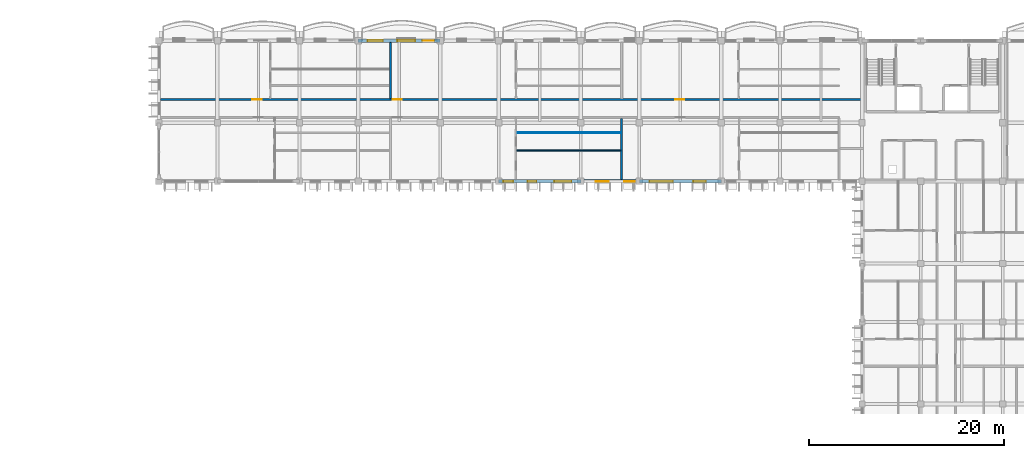
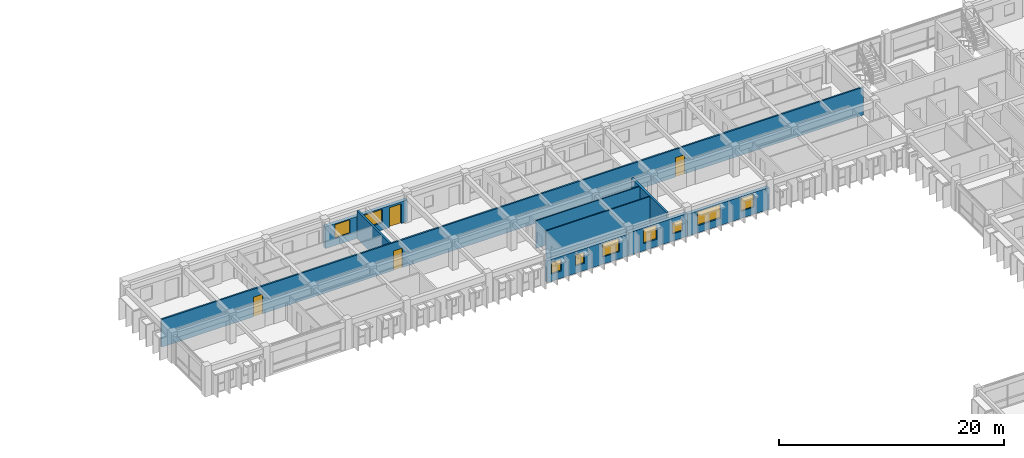
# One storey, part 39 of 79: 9 walls, 9 windows, 4 doors, 13 openings.
"""IFC4 building model written with IfcOpenShell, lengths in metres."""

from ifc_helpers import new_model, si_unit, direction, frame, frame_2d, origin, place, context, subcontext, project, spatial, rectangle, extrude, material, layer, layer_set, type_object, element, fill, save


model = new_model("IFC4")

# Units and contexts
model_context = context("Model", 3, precision=1e-05, world=origin(), true_north=direction((0.0, 1.0)))
body_context = subcontext(model_context, "Body", "Model", "MODEL_VIEW")
ifc_project = project(units=[si_unit("LENGTHUNIT", "METRE"), si_unit("AREAUNIT", "SQUARE_METRE"), si_unit("VOLUMEUNIT", "CUBIC_METRE"), si_unit("PLANEANGLEUNIT", "RADIAN"), si_unit("MASSUNIT", "GRAM", prefix="KILO"), si_unit("THERMODYNAMICTEMPERATUREUNIT", "KELVIN")], contexts=[model_context])

# Site, building, storey
site_placement = place(None, origin())
site = spatial("IfcSite", under=ifc_project, at=site_placement, CompositionType="ELEMENT")
building_placement = place(site_placement, origin())
building = spatial("IfcBuilding", under=site, at=building_placement, Name="Thalorik Housing Commons", CompositionType="ELEMENT")
storey_placement = place(building_placement, frame((0.0, 0.0, 11.39990234375)))
storey = spatial("IfcBuildingStorey", under=building, at=storey_placement, Name="L03", CompositionType="ELEMENT", Elevation=11.39990234375)

# Wall, openings, doors
ifc_material_1 = material(Name="Masonry fire-rated corridor wall", Category="masonry")
ifc_layer_1 = layer(ifc_material_1, 0.1650390625, Name="Masonry fire-rated corridor wall", Category="masonry")
ifc_layer_set_1 = layer_set([ifc_layer_1], Name="Masonry fire-rated corridor wall")
wall_type_1 = type_object("IfcWallType", Name="ARC-WAL-CORR-165", PredefinedType="PARTITIONING", material=ifc_layer_set_1)
wall_1_placement = place(storey_placement, frame((80.576904296875, 117.580078125, 0.0), z_axis=(0.0, 0.0, 1.0), x_axis=(1.0, 0.0, 0.0)))
wall_1 = element("IfcWall", 1, at=wall_1_placement, inside=storey, type_object=wall_type_1, Name="L03 Block B N Corridor Wall 2", PredefinedType="PARTITIONING", context=body_context, shape_type="SweptSolid", body=[
    extrude(rectangle(XDim=71.963134765625, YDim=0.1650390625, at=frame_2d((35.9814453125, 0.0))), origin(), (0.0, 0.0, 1.0), 3.0),
])
opening_1_placement = place(wall_1_placement, frame((9.411376953125, 0.0, 0.0)))
opening_1 = element("IfcOpeningElement", 2, at=opening_1_placement, cuts=wall_1, Name="Opening ID-1095", PredefinedType="OPENING", context=body_context, shape_type="SweptSolid", body=[
    extrude(rectangle(XDim=0.9599609375, YDim=2.1201171875, at=frame_2d((0.47998046875, 1.06005859375))), frame((0.0, 0.092529296875, 0.0), z_axis=(0.0, -1.0, 0.0), x_axis=(1.0, 0.0, 0.0)), (0.0, 0.0, 1.0), 0.18505859375),
])
opening_2_placement = place(wall_1_placement, frame((23.79296875, 0.0, 0.0)))
opening_2 = element("IfcOpeningElement", 3, at=opening_2_placement, cuts=wall_1, Name="Opening ID-1096", PredefinedType="OPENING", context=body_context, shape_type="SweptSolid", body=[
    extrude(rectangle(XDim=0.919921875, YDim=2.10009765625, at=frame_2d((0.4599609375, 1.050048828125))), frame((0.0, 0.092529296875, 0.0), z_axis=(0.0, -1.0, 0.0), x_axis=(1.0, 0.0, 0.0)), (0.0, 0.0, 1.0), 0.18505859375),
])
opening_3_placement = place(wall_1_placement, frame((52.7177734375, 0.0, 0.0)))
opening_3 = element("IfcOpeningElement", 4, at=opening_3_placement, cuts=wall_1, Name="Opening ID-1097", PredefinedType="OPENING", context=body_context, shape_type="SweptSolid", body=[
    extrude(rectangle(XDim=0.919921875, YDim=2.10009765625, at=frame_2d((0.4599609375, 1.050048828125))), frame((0.0, 0.092529296875, 0.0), z_axis=(0.0, -1.0, 0.0), x_axis=(1.0, 0.0, 0.0)), (0.0, 0.0, 1.0), 0.18505859375),
])
ifc_material_2 = material(Name="Solid core hardwood timber", Category="wood")
door_type_1 = type_object("IfcDoorType", Name="ARC-DR-FD30-920", OperationType="NOTDEFINED", PredefinedType="DOOR", material=ifc_material_2)
door_1_placement = place(opening_2_placement, origin())
door_1 = element("IfcDoor", 5, at=door_1_placement, inside=storey, type_object=door_type_1, Name="L03 Flat BN-2B Entrance Door", OperationType="SINGLE_SWING_LEFT", OverallHeight=2.10009765625, OverallWidth=0.919921875, PredefinedType="DOOR", context=body_context, shape_type="SweptSolid", body=[
    extrude(rectangle(XDim=0.919921875, YDim=2.10009765625, at=frame_2d((0.4599609375, 1.050048828125))), frame((0.0, 0.02490234375, 0.0), z_axis=(0.0, -1.0, 0.0), x_axis=(1.0, 0.0, 0.0)), (0.0, 0.0, 1.0), 0.050048828125),
])
fill(opening_2, door_1)
door_2_placement = place(opening_3_placement, origin())
door_2 = element("IfcDoor", 6, at=door_2_placement, inside=storey, type_object=door_type_1, Name="L03 Flat BN-3B Entrance Door", OperationType="SINGLE_SWING_RIGHT", OverallHeight=2.10009765625, OverallWidth=0.919921875, PredefinedType="DOOR", context=body_context, shape_type="SweptSolid", body=[
    extrude(rectangle(XDim=0.919921875, YDim=2.10009765625, at=frame_2d((0.4599609375, 1.050048828125))), frame((0.0, 0.02490234375, 0.0), z_axis=(0.0, -1.0, 0.0), x_axis=(1.0, 0.0, 0.0)), (0.0, 0.0, 1.0), 0.050048828125),
])
fill(opening_3, door_2)
door_type_2 = type_object("IfcDoorType", Name="ARC-DR-FD30-960", OperationType="NOTDEFINED", PredefinedType="DOOR", material=ifc_material_2)
door_3_placement = place(opening_1_placement, origin())
door_3 = element("IfcDoor", 7, at=door_3_placement, inside=storey, type_object=door_type_2, Name="L03 Flat BN-1B Entrance Door", OperationType="SINGLE_SWING_RIGHT", OverallHeight=2.1201171875, OverallWidth=0.9599609375, PredefinedType="DOOR", context=body_context, shape_type="SweptSolid", body=[
    extrude(rectangle(XDim=0.9599609375, YDim=2.1201171875, at=frame_2d((0.47998046875, 1.06005859375))), frame((0.0, 0.02490234375, 0.0), z_axis=(0.0, -1.0, 0.0), x_axis=(1.0, 0.0, 0.0)), (0.0, 0.0, 1.0), 0.050048828125),
])
fill(opening_1, door_3)

# Wall, openings, door, windows
ifc_material_3 = material(Name="White precast concrete C40/50", Category="concrete")
ifc_layer_2 = layer(ifc_material_3, 0.35009765625, Name="White precast concrete C40/50", Category="concrete")
ifc_layer_set_2 = layer_set([ifc_layer_2], Name="White precast concrete C40/50")
wall_type_2 = type_object("IfcWallType", Name="ARC-WAL-EXT-350", PredefinedType="STANDARD", material=ifc_layer_set_2)
wall_2_placement = place(storey_placement, frame((109.199951171875, 123.60009765625, 0.0), z_axis=(0.0, 0.0, 1.0), x_axis=(-1.0, 0.0, 0.0)))
wall_2 = element("IfcWall", 8, at=wall_2_placement, inside=storey, type_object=wall_type_2, Name="L03 Exterior Wall WAL-EXT-L03-B-0494", PredefinedType="STANDARD", context=body_context, shape_type="SweptSolid", body=[
    extrude(rectangle(XDim=8.39990234375, YDim=0.35009765625, at=frame_2d((4.199951171875, 0.0))), origin(), (0.0, 0.0, 1.0), 2.375),
])
opening_4_placement = place(wall_2_placement, frame((0.6201171875, 0.0, 0.0)))
opening_4 = element("IfcOpeningElement", 9, at=opening_4_placement, cuts=wall_2, Name="Opening ED-0149", PredefinedType="OPENING", context=body_context, shape_type="SweptSolid", body=[
    extrude(rectangle(XDim=1.199951171875, YDim=2.14990234375, at=frame_2d((0.60009765625, 1.074951171875))), frame((0.0, 0.18505859375, 0.0), z_axis=(0.0, -1.0, 0.0), x_axis=(1.0, 0.0, 0.0)), (0.0, 0.0, 1.0), 0.3701171875),
])
opening_5_placement = place(wall_2_placement, frame((2.56494140625, 0.0, 0.780029296875)))
opening_5 = element("IfcOpeningElement", 10, at=opening_5_placement, cuts=wall_2, Name="Opening W-58", PredefinedType="OPENING", context=body_context, shape_type="SweptSolid", body=[
    extrude(rectangle(XDim=1.820068359375, YDim=1.4599609375, at=frame_2d((0.91015625, 0.72998046875))), frame((0.0, 0.18505859375, 0.0), z_axis=(0.0, -1.0, 0.0), x_axis=(1.0, 0.0, 0.0)), (0.0, 0.0, 1.0), 0.3701171875),
])
opening_6_placement = place(wall_2_placement, frame((5.85498046875, 0.0, 0.780029296875)))
opening_6 = element("IfcOpeningElement", 11, at=opening_6_placement, cuts=wall_2, Name="Opening W-53", PredefinedType="OPENING", context=body_context, shape_type="SweptSolid", body=[
    extrude(rectangle(XDim=1.580078125, YDim=1.47998046875, at=frame_2d((0.7900390625, 0.739990234375))), frame((0.0, 0.18505859375, 0.0), z_axis=(0.0, -1.0, 0.0), x_axis=(1.0, 0.0, 0.0)), (0.0, 0.0, 1.0), 0.3701171875),
])
ifc_material_4 = material(Name="Anodised aluminium and laminated safety glass", Category="aluminium")
door_type_3 = type_object("IfcDoorType", Name="ARC-DR-BAL-1200", OperationType="NOTDEFINED", PredefinedType="DOOR", material=ifc_material_4)
door_4_placement = place(opening_4_placement, frame((1.199951171875, 0.0, 0.0), z_axis=(0.0, 0.0, 1.0), x_axis=(-1.0, 0.0, 0.0)))
door_4 = element("IfcDoor", 12, at=door_4_placement, inside=storey, type_object=door_type_3, Name="L03 Block B Balcony Glazed Door", OperationType="SINGLE_SWING_RIGHT", OverallHeight=2.14990234375, OverallWidth=1.199951171875, PredefinedType="DOOR", context=body_context, shape_type="SweptSolid", body=[
    extrude(rectangle(XDim=1.199951171875, YDim=2.14990234375, at=frame_2d((0.60009765625, 1.074951171875))), frame((0.0, 0.02490234375, 0.0), z_axis=(0.0, -1.0, 0.0), x_axis=(1.0, 0.0, 0.0)), (0.0, 0.0, 1.0), 0.050048828125),
])
fill(opening_4, door_4)
ifc_material_5 = material(Name="Anodised aluminium and solar-control low-E glass", Category="aluminium")
window_type_1 = type_object("IfcWindowType", Name="ARC-WIN-53", PartitioningType="SINGLE_PANEL", PredefinedType="WINDOW", material=ifc_material_5)
window_1_placement = place(opening_6_placement, origin())
window_1 = element("IfcWindow", 13, at=window_1_placement, inside=storey, type_object=window_type_1, Name="L03 Facade Window 889", OverallHeight=1.47998046875, OverallWidth=1.580078125, PartitioningType="SINGLE_PANEL", PredefinedType="WINDOW", context=body_context, shape_type="SweptSolid", body=[
    extrude(rectangle(XDim=1.580078125, YDim=1.47998046875, at=frame_2d((0.7900390625, 0.739990234375))), frame((0.0, 0.030029296875, 0.0), z_axis=(0.0, -1.0, 0.0), x_axis=(1.0, 0.0, 0.0)), (0.0, 0.0, 1.0), 0.06005859375),
])
fill(opening_6, window_1)
window_type_2 = type_object("IfcWindowType", Name="ARC-WIN-58", PartitioningType="DOUBLE_PANEL_VERTICAL", PredefinedType="WINDOW", material=ifc_material_5)
window_2_placement = place(opening_5_placement, origin())
window_2 = element("IfcWindow", 14, at=window_2_placement, inside=storey, type_object=window_type_2, Name="L03 Facade Window 888", OverallHeight=1.4599609375, OverallWidth=1.820068359375, PartitioningType="DOUBLE_PANEL_VERTICAL", PredefinedType="WINDOW", context=body_context, shape_type="SweptSolid", body=[
    extrude(rectangle(XDim=1.820068359375, YDim=1.4599609375, at=frame_2d((0.91015625, 0.72998046875))), frame((0.0, 0.030029296875, 0.0), z_axis=(0.0, -1.0, 0.0), x_axis=(1.0, 0.0, 0.0)), (0.0, 0.0, 1.0), 0.06005859375),
])
fill(opening_5, window_2)

# Wall, openings, windows
wall_3_placement = place(storey_placement, frame((115.199951171875, 109.199951171875, 0.0), z_axis=(0.0, 0.0, 1.0), x_axis=(1.0, 0.0, 0.0)))
wall_3 = element("IfcWall", 15, at=wall_3_placement, inside=storey, type_object=wall_type_2, Name="L03 Exterior Wall WAL-EXT-L03-B-0505", PredefinedType="STANDARD", context=body_context, shape_type="SweptSolid", body=[
    extrude(rectangle(XDim=8.400146484375, YDim=0.35009765625, at=frame_2d((4.2001953125, 0.0))), origin(), (0.0, 0.0, 1.0), 2.375),
])
opening_7_placement = place(wall_3_placement, frame((0.469970703125, 0.0, 0.780029296875)))
opening_7 = element("IfcOpeningElement", 16, at=opening_7_placement, cuts=wall_3, Name="Opening W-02", PredefinedType="OPENING", context=body_context, shape_type="SweptSolid", body=[
    extrude(rectangle(XDim=1.0, YDim=1.25, at=frame_2d((0.5, 0.625))), frame((0.0, 0.18505859375, 0.0), z_axis=(0.0, -1.0, 0.0), x_axis=(1.0, 0.0, 0.0)), (0.0, 0.0, 1.0), 0.3701171875),
])
opening_8_placement = place(wall_3_placement, frame((2.949951171875, 0.0, 0.780029296875)))
opening_8 = element("IfcOpeningElement", 17, at=opening_8_placement, cuts=wall_3, Name="Opening W-01", PredefinedType="OPENING", context=body_context, shape_type="SweptSolid", body=[
    extrude(rectangle(XDim=0.89990234375, YDim=1.199951171875, at=frame_2d((0.449951171875, 0.60009765625))), frame((0.0, 0.18505859375, 0.0), z_axis=(0.0, -1.0, 0.0), x_axis=(1.0, 0.0, 0.0)), (0.0, 0.0, 1.0), 0.3701171875),
])
opening_9_placement = place(wall_3_placement, frame((5.68505859375, 0.0, 0.780029296875)))
opening_9 = element("IfcOpeningElement", 18, at=opening_9_placement, cuts=wall_3, Name="Opening W-17", PredefinedType="OPENING", context=body_context, shape_type="SweptSolid", body=[
    extrude(rectangle(XDim=1.75, YDim=1.449951171875, at=frame_2d((0.875, 0.72509765625))), frame((0.0, 0.18505859375, 0.0), z_axis=(0.0, -1.0, 0.0), x_axis=(1.0, 0.0, 0.0)), (0.0, 0.0, 1.0), 0.3701171875),
])
window_type_3 = type_object("IfcWindowType", Name="ARC-WIN-01", PartitioningType="SINGLE_PANEL", PredefinedType="WINDOW", material=ifc_material_5)
window_3_placement = place(opening_8_placement, origin())
window_3 = element("IfcWindow", 19, at=window_3_placement, inside=storey, type_object=window_type_3, Name="L03 Facade Window 907", OverallHeight=1.199951171875, OverallWidth=0.89990234375, PartitioningType="SINGLE_PANEL", PredefinedType="WINDOW", context=body_context, shape_type="SweptSolid", body=[
    extrude(rectangle(XDim=0.89990234375, YDim=1.199951171875, at=frame_2d((0.449951171875, 0.60009765625))), frame((0.0, 0.030029296875, 0.0), z_axis=(0.0, -1.0, 0.0), x_axis=(1.0, 0.0, 0.0)), (0.0, 0.0, 1.0), 0.06005859375),
])
fill(opening_8, window_3)
window_type_4 = type_object("IfcWindowType", Name="ARC-WIN-02", PartitioningType="SINGLE_PANEL", PredefinedType="WINDOW", material=ifc_material_5)
window_4_placement = place(opening_7_placement, origin())
window_4 = element("IfcWindow", 20, at=window_4_placement, inside=storey, type_object=window_type_4, Name="L03 Facade Window 906", OverallHeight=1.25, OverallWidth=1.0, PartitioningType="SINGLE_PANEL", PredefinedType="WINDOW", context=body_context, shape_type="SweptSolid", body=[
    extrude(rectangle(XDim=1.0, YDim=1.25, at=frame_2d((0.5, 0.625))), frame((0.0, 0.030029296875, 0.0), z_axis=(0.0, -1.0, 0.0), x_axis=(1.0, 0.0, 0.0)), (0.0, 0.0, 1.0), 0.06005859375),
])
fill(opening_7, window_4)
window_type_5 = type_object("IfcWindowType", Name="ARC-WIN-17", PartitioningType="DOUBLE_PANEL_VERTICAL", PredefinedType="WINDOW", material=ifc_material_5)
window_5_placement = place(opening_9_placement, origin())
window_5 = element("IfcWindow", 21, at=window_5_placement, inside=storey, type_object=window_type_5, Name="L03 Facade Window 908", OverallHeight=1.449951171875, OverallWidth=1.75, PartitioningType="DOUBLE_PANEL_VERTICAL", PredefinedType="WINDOW", context=body_context, shape_type="SweptSolid", body=[
    extrude(rectangle(XDim=1.75, YDim=1.449951171875, at=frame_2d((0.875, 0.72509765625))), frame((0.0, 0.030029296875, 0.0), z_axis=(0.0, -1.0, 0.0), x_axis=(1.0, 0.0, 0.0)), (0.0, 0.0, 1.0), 0.06005859375),
])
fill(opening_9, window_5)

wall_4_placement = place(storey_placement, frame((123.60009765625, 109.199951171875, 0.0), z_axis=(0.0, 0.0, 1.0), x_axis=(1.0, 0.0, 0.0)))
wall_4 = element("IfcWall", 22, at=wall_4_placement, inside=storey, type_object=wall_type_2, Name="L03 Exterior Wall WAL-EXT-L03-B-0506", PredefinedType="STANDARD", context=body_context, shape_type="SweptSolid", body=[
    extrude(rectangle(XDim=6.0, YDim=0.35009765625, at=frame_2d((3.0, 0.0))), origin(), (0.0, 0.0, 1.0), 2.47509765625),
])
opening_10_placement = place(wall_4_placement, frame((1.510009765625, 0.0, 0.780029296875)))
opening_10 = element("IfcOpeningElement", 23, at=opening_10_placement, cuts=wall_4, Name="Opening W-07", PredefinedType="OPENING", context=body_context, shape_type="SweptSolid", body=[
    extrude(rectangle(XDim=1.35009765625, YDim=1.550048828125, at=frame_2d((0.675048828125, 0.77490234375))), frame((0.0, 0.18505859375, 0.0), z_axis=(0.0, -1.0, 0.0), x_axis=(1.0, 0.0, 0.0)), (0.0, 0.0, 1.0), 0.3701171875),
])
opening_11_placement = place(wall_4_placement, frame((4.469970703125, 0.0, 0.780029296875)))
opening_11 = element("IfcOpeningElement", 24, at=opening_11_placement, cuts=wall_4, Name="Opening W-44", PredefinedType="OPENING", context=body_context, shape_type="SweptSolid", body=[
    extrude(rectangle(XDim=1.050048828125, YDim=1.199951171875, at=frame_2d((0.52490234375, 0.60009765625))), frame((0.0, 0.18505859375, 0.0), z_axis=(0.0, -1.0, 0.0), x_axis=(1.0, 0.0, 0.0)), (0.0, 0.0, 1.0), 0.3701171875),
])
window_type_6 = type_object("IfcWindowType", Name="ARC-WIN-07", PartitioningType="SINGLE_PANEL", PredefinedType="WINDOW", material=ifc_material_5)
window_6_placement = place(opening_10_placement, origin())
window_6 = element("IfcWindow", 25, at=window_6_placement, inside=storey, type_object=window_type_6, Name="L03 Facade Window 909", OverallHeight=1.550048828125, OverallWidth=1.35009765625, PartitioningType="SINGLE_PANEL", PredefinedType="WINDOW", context=body_context, shape_type="SweptSolid", body=[
    extrude(rectangle(XDim=1.35009765625, YDim=1.550048828125, at=frame_2d((0.675048828125, 0.77490234375))), frame((0.0, 0.030029296875, 0.0), z_axis=(0.0, -1.0, 0.0), x_axis=(1.0, 0.0, 0.0)), (0.0, 0.0, 1.0), 0.06005859375),
])
fill(opening_10, window_6)
window_type_7 = type_object("IfcWindowType", Name="ARC-WIN-44", PartitioningType="SINGLE_PANEL", PredefinedType="WINDOW", material=ifc_material_5)
window_7_placement = place(opening_11_placement, origin())
window_7 = element("IfcWindow", 26, at=window_7_placement, inside=storey, type_object=window_type_7, Name="L03 Facade Window 910", OverallHeight=1.199951171875, OverallWidth=1.050048828125, PartitioningType="SINGLE_PANEL", PredefinedType="WINDOW", context=body_context, shape_type="SweptSolid", body=[
    extrude(rectangle(XDim=1.050048828125, YDim=1.199951171875, at=frame_2d((0.52490234375, 0.60009765625))), frame((0.0, 0.030029296875, 0.0), z_axis=(0.0, -1.0, 0.0), x_axis=(1.0, 0.0, 0.0)), (0.0, 0.0, 1.0), 0.06005859375),
])
fill(opening_11, window_7)

wall_5_placement = place(storey_placement, frame((129.60009765625, 109.199951171875, 0.0), z_axis=(0.0, 0.0, 1.0), x_axis=(1.0, 0.0, 0.0)))
wall_5 = element("IfcWall", 27, at=wall_5_placement, inside=storey, type_object=wall_type_2, Name="L03 Exterior Wall WAL-EXT-L03-B-0507", PredefinedType="STANDARD", context=body_context, shape_type="SweptSolid", body=[
    extrude(rectangle(XDim=8.39990234375, YDim=0.35009765625, at=frame_2d((4.199951171875, 0.0))), origin(), (0.0, 0.0, 1.0), 2.375),
])
opening_12_placement = place(wall_5_placement, frame((1.0400390625, 0.0, 0.780029296875)))
opening_12 = element("IfcOpeningElement", 28, at=opening_12_placement, cuts=wall_5, Name="Opening W-69", PredefinedType="OPENING", context=body_context, shape_type="SweptSolid", body=[
    extrude(rectangle(XDim=2.3798828125, YDim=1.47998046875, at=frame_2d((1.18994140625, 0.739990234375))), frame((0.0, 0.18505859375, 0.0), z_axis=(0.0, -1.0, 0.0), x_axis=(1.0, 0.0, 0.0)), (0.0, 0.0, 1.0), 0.3701171875),
])
opening_13_placement = place(wall_5_placement, frame((5.52001953125, 0.0, 0.780029296875)))
opening_13 = element("IfcOpeningElement", 29, at=opening_13_placement, cuts=wall_5, Name="Opening W-06", PredefinedType="OPENING", context=body_context, shape_type="SweptSolid", body=[
    extrude(rectangle(XDim=1.300048828125, YDim=1.39990234375, at=frame_2d((0.64990234375, 0.699951171875))), frame((0.0, 0.18505859375, 0.0), z_axis=(0.0, -1.0, 0.0), x_axis=(1.0, 0.0, 0.0)), (0.0, 0.0, 1.0), 0.3701171875),
])
window_type_8 = type_object("IfcWindowType", Name="ARC-WIN-06", PartitioningType="SINGLE_PANEL", PredefinedType="WINDOW", material=ifc_material_5)
window_8_placement = place(opening_13_placement, origin())
window_8 = element("IfcWindow", 30, at=window_8_placement, inside=storey, type_object=window_type_8, Name="L03 Facade Window 912", OverallHeight=1.39990234375, OverallWidth=1.300048828125, PartitioningType="SINGLE_PANEL", PredefinedType="WINDOW", context=body_context, shape_type="SweptSolid", body=[
    extrude(rectangle(XDim=1.300048828125, YDim=1.39990234375, at=frame_2d((0.64990234375, 0.699951171875))), frame((0.0, 0.030029296875, 0.0), z_axis=(0.0, -1.0, 0.0), x_axis=(1.0, 0.0, 0.0)), (0.0, 0.0, 1.0), 0.06005859375),
])
fill(opening_13, window_8)
window_type_9 = type_object("IfcWindowType", Name="ARC-WIN-69", PartitioningType="DOUBLE_PANEL_VERTICAL", PredefinedType="WINDOW", material=ifc_material_5)
window_9_placement = place(opening_12_placement, origin())
window_9 = element("IfcWindow", 31, at=window_9_placement, inside=storey, type_object=window_type_9, Name="L03 Facade Window 911", OverallHeight=1.47998046875, OverallWidth=2.3798828125, PartitioningType="DOUBLE_PANEL_VERTICAL", PredefinedType="WINDOW", context=body_context, shape_type="SweptSolid", body=[
    extrude(rectangle(XDim=2.3798828125, YDim=1.47998046875, at=frame_2d((1.18994140625, 0.739990234375))), frame((0.0, 0.030029296875, 0.0), z_axis=(0.0, -1.0, 0.0), x_axis=(1.0, 0.0, 0.0)), (0.0, 0.0, 1.0), 0.06005859375),
])
fill(opening_12, window_9)

# Walls
ifc_material_6 = material(Name="Gypsum light stud partition", Category="masonry")
ifc_layer_3 = layer(ifc_material_6, 0.10009765625, Name="Gypsum light stud partition", Category="masonry")
ifc_layer_set_3 = layer_set([ifc_layer_3], Name="Gypsum light stud partition")
wall_type_3 = type_object("IfcWallType", Name="ARC-WAL-PART-100", PredefinedType="PARTITIONING", material=ifc_layer_set_3)
wall_6_placement = place(storey_placement, frame((117.014404296875, 114.169677734375, 0.0), z_axis=(0.0, 0.0, 1.0), x_axis=(1.0, 0.0, 0.0)))
element("IfcWall", 32, at=wall_6_placement, inside=storey, type_object=wall_type_3, Name="L03 Unit 2 Wet Wall", PredefinedType="PARTITIONING", context=body_context, shape_type="SweptSolid", body=[
    extrude(rectangle(XDim=10.653564453125, YDim=0.10009765625, at=frame_2d((5.32666015625, 0.0))), origin(), (0.0, 0.0, 1.0), 3.0),
])
ifc_material_7 = material(Name="Gypsum moisture-resistant partition", Category="masonry")
ifc_layer_4 = layer(ifc_material_7, 0.114990234375, Name="Gypsum moisture-resistant partition", Category="masonry")
ifc_layer_set_4 = layer_set([ifc_layer_4], Name="Gypsum moisture-resistant partition")
wall_type_4 = type_object("IfcWallType", Name="ARC-WAL-PART-115", PredefinedType="PARTITIONING", material=ifc_layer_set_4)
wall_7_placement = place(storey_placement, frame((117.014404296875, 112.36083984375, 0.0), z_axis=(0.0, 0.0, 1.0), x_axis=(1.0, 0.0, 0.0)))
element("IfcWall", 33, at=wall_7_placement, inside=storey, type_object=wall_type_4, Name="L03 Unit 2 Bedroom Partition", PredefinedType="PARTITIONING", context=body_context, shape_type="SweptSolid", body=[
    extrude(rectangle(XDim=10.653564453125, YDim=0.114990234375, at=frame_2d((5.32666015625, 0.0))), origin(), (0.0, 0.0, 1.0), 3.0),
])
ifc_material_8 = material(Name="Precast concrete C40/50 acoustic wall", Category="concrete")
ifc_layer_5 = layer(ifc_material_8, 0.199951171875, Name="Precast concrete C40/50 acoustic wall", Category="concrete")
ifc_layer_set_5 = layer_set([ifc_layer_5], Name="Precast concrete C40/50 acoustic wall")
wall_type_5 = type_object("IfcWallType", Name="ARC-WAL-PARTY-200", PredefinedType="PARTITIONING", material=ifc_layer_set_5)
wall_8_placement = place(storey_placement, frame((104.1201171875, 117.66455078125, 0.0), z_axis=(0.0, 0.0, 1.0), x_axis=(0.0, 1.0, 0.0)))
element("IfcWall", 34, at=wall_8_placement, inside=storey, type_object=wall_type_5, Name="L03 Inter-Tenancy Wall 1B", PredefinedType="PARTITIONING", context=body_context, shape_type="SweptSolid", body=[
    extrude(rectangle(XDim=5.758544921875, YDim=0.199951171875, at=frame_2d((2.87939453125, 0.0))), origin(), (0.0, 0.0, 1.0), 3.0),
])
ifc_layer_6 = layer(ifc_material_8, 0.219970703125, Name="Precast concrete C40/50 acoustic wall", Category="concrete")
ifc_layer_set_6 = layer_set([ifc_layer_6], Name="Precast concrete C40/50 acoustic wall")
wall_type_6 = type_object("IfcWallType", Name="ARC-WAL-PARTY-220", PredefinedType="PARTITIONING", material=ifc_layer_set_6)
wall_9_placement = place(storey_placement, frame((127.780029296875, 109.376953125, 0.0), z_axis=(0.0, 0.0, 1.0), x_axis=(0.0, 1.0, 0.0)))
element("IfcWall", 35, at=wall_9_placement, inside=storey, type_object=wall_type_6, Name="L03 Inter-Tenancy Wall 2A", PredefinedType="PARTITIONING", context=body_context, shape_type="SweptSolid", body=[
    extrude(rectangle(XDim=6.26611328125, YDim=0.219970703125, at=frame_2d((3.133056640625, 0.0))), origin(), (0.0, 0.0, 1.0), 3.0),
])

save(model, "model.ifc")
